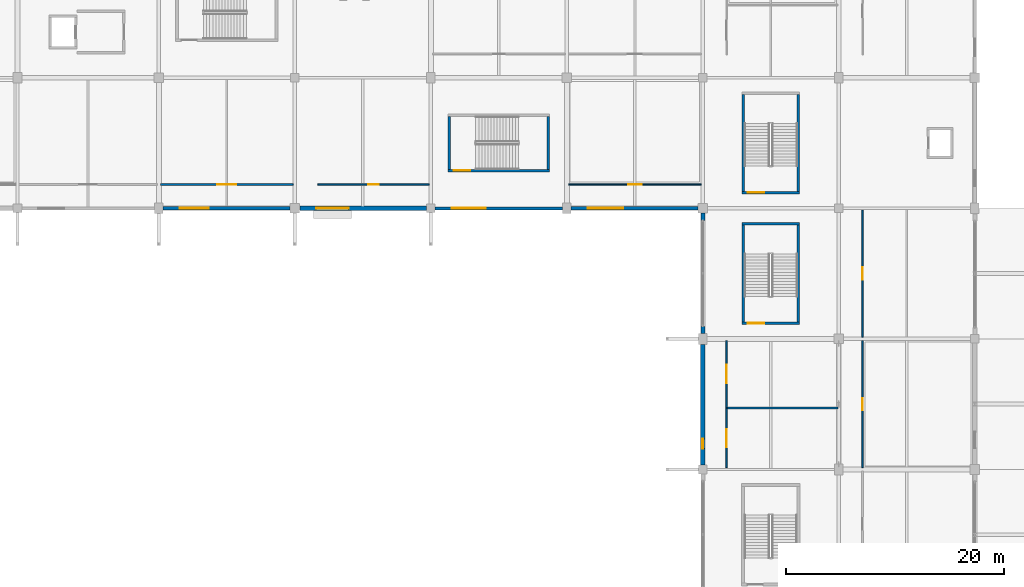
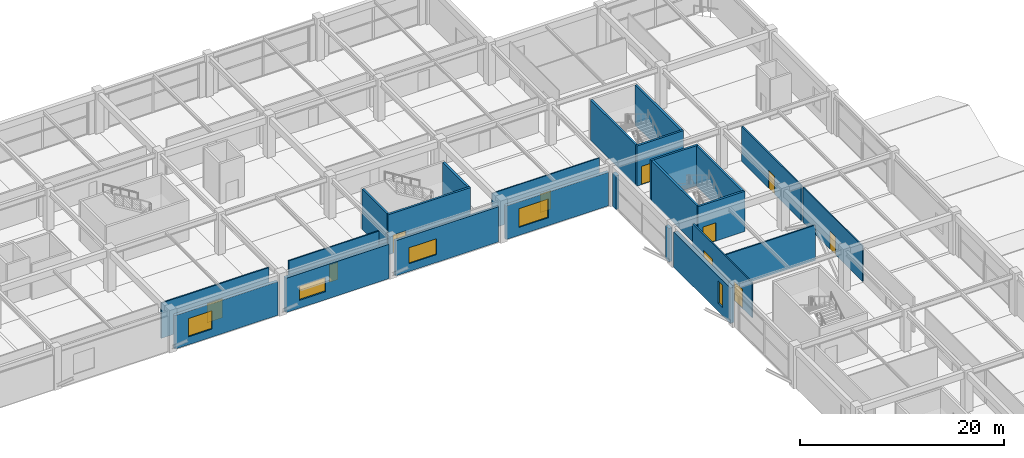
# One storey, part 77 of 116: 24 walls, 10 doors, 5 windows, 15 openings.
"""IFC4 building model written with IfcOpenShell, lengths in metres."""

from ifc_helpers import new_model, si_unit, direction, frame, frame_2d, origin, place, context, subcontext, project, spatial, rectangle, extrude, material, layer, layer_set, type_object, element, fill, save


model = new_model("IFC4")

# Units and contexts
model_context = context("Model", 3, precision=1e-05, world=origin(), true_north=direction((0.0, 1.0)))
body_context = subcontext(model_context, "Body", "Model", "MODEL_VIEW")
ifc_project = project(units=[si_unit("LENGTHUNIT", "METRE"), si_unit("AREAUNIT", "SQUARE_METRE"), si_unit("VOLUMEUNIT", "CUBIC_METRE"), si_unit("PLANEANGLEUNIT", "RADIAN"), si_unit("MASSUNIT", "GRAM", prefix="KILO")], contexts=[model_context])

# Site, building, storey
site_placement = place(None, origin())
site = spatial("IfcSite", under=ifc_project, at=site_placement, CompositionType="ELEMENT")
building_placement = place(site_placement, origin())
building = spatial("IfcBuilding", under=site, at=building_placement, Name="Kazenohara Klinker Stadium", CompositionType="ELEMENT")
storey_placement = place(building_placement, frame((0.0, 0.0, 10.199951171875)))
storey = spatial("IfcBuildingStorey", under=building, at=storey_placement, Name="L02", CompositionType="ELEMENT", Elevation=10.199951171875)

# Wall, opening, door
ifc_material_1 = material(Name="Concrete C40/50", Category="concrete")
ifc_layer_1 = layer(ifc_material_1, 0.22998046875)
ifc_layer_set_1 = layer_set([ifc_layer_1], Name="Concrete C40/50")
wall_type_1 = type_object("IfcWallType", Name="WAL-CORE-230", PredefinedType="SHEAR", material=ifc_layer_set_1)
wall_1_placement = place(storey_placement, frame((178.590087890625, 133.43505859375, 0.0), z_axis=(0.0, 0.0, 1.0), x_axis=(1.0, 0.0, 0.0)))
wall_1 = element("IfcWall", 1, at=wall_1_placement, inside=storey, type_object=wall_type_1, Name="Stairwell shear wall ST12 L02 South", PredefinedType="SHEAR", context=body_context, shape_type="SweptSolid", body=[
    extrude(rectangle(XDim=5.31982421875, YDim=0.22998046875, at=frame_2d((2.659912109375, 0.0))), origin(), (0.0, 0.0, 1.0), 4.820068359375),
])
opening_1_placement = place(wall_1_placement, frame((0.550048828125, 0.0, 0.0)))
opening_1 = element("IfcOpeningElement", 2, at=opening_1_placement, cuts=wall_1, Name="Opening SD02", PredefinedType="OPENING", context=body_context, shape_type="SweptSolid", body=[
    extrude(rectangle(XDim=1.5, YDim=2.199951171875, at=frame_2d((0.75, 1.10009765625))), frame((0.0, 0.125, 0.0), z_axis=(0.0, -1.0, 0.0), x_axis=(1.0, 0.0, 0.0)), (0.0, 0.0, 1.0), 0.25),
])
ifc_material_2 = material(Name="Flush painted steel fire door leaf", Category="steel")
door_type_1 = type_object("IfcDoorType", Name="DR-STR-1500x2200", OperationType="NOTDEFINED", PredefinedType="DOOR", material=ifc_material_2)
door_1_placement = place(opening_1_placement, origin())
door_1 = element("IfcDoor", 3, at=door_1_placement, inside=storey, type_object=door_type_1, Name="Escape stairwell fire door ST12-L02", OperationType="SINGLE_SWING_LEFT", OverallHeight=2.199951171875, OverallWidth=1.5, PredefinedType="DOOR", context=body_context, shape_type="SweptSolid", body=[
    extrude(rectangle(XDim=1.5, YDim=2.199951171875, at=frame_2d((0.75, 1.10009765625))), frame((0.0, 0.02490234375, 0.0), z_axis=(0.0, -1.0, 0.0), x_axis=(1.0, 0.0, 0.0)), (0.0, 0.0, 1.0), 0.050048828125),
])
fill(opening_1, door_1)

# Walls
for number, where, z_axis, x_axis, name in (
    (4, (178.705078125, 133.550048828125, 0.0), (0.0, 0.0, 1.0), (0.0, 1.0, 0.0), "Stairwell shear wall ST12 L02 West"),
    (5, (183.794921875, 133.550048828125, 0.0), (0.0, 0.0, 1.0), (0.0, 1.0, 0.0), "Stairwell shear wall ST12 L02 East"),
):
    element("IfcWall", number, at=place(storey_placement, frame(where, z_axis=z_axis, x_axis=x_axis)), inside=storey, type_object=wall_type_1, Name=name, PredefinedType="SHEAR", context=body_context, shape_type="SweptSolid", body=[
        extrude(rectangle(XDim=8.89990234375, YDim=0.22998046875, at=frame_2d((4.449951171875, 0.0))), origin(), (0.0, 0.0, 1.0), 4.820068359375),
    ])

# Wall, opening, door
wall_2_placement = place(storey_placement, frame((151.570068359375, 135.455078125, 0.0), z_axis=(0.0, 0.0, 1.0), x_axis=(1.0, 0.0, 0.0)))
wall_2 = element("IfcWall", 6, at=wall_2_placement, inside=storey, type_object=wall_type_1, Name="Stairwell shear wall ST20 L02 South", PredefinedType="SHEAR", context=body_context, shape_type="SweptSolid", body=[
    extrude(rectangle(XDim=9.35986328125, YDim=0.22998046875, at=frame_2d((4.679931640625, 0.0))), origin(), (0.0, 0.0, 1.0), 4.820068359375),
])
opening_2_placement = place(wall_2_placement, frame((0.550048828125, 0.0, 0.0)))
opening_2 = element("IfcOpeningElement", 7, at=opening_2_placement, cuts=wall_2, Name="Opening SD02", PredefinedType="OPENING", context=body_context, shape_type="SweptSolid", body=[
    extrude(rectangle(XDim=1.5, YDim=2.199951171875, at=frame_2d((0.75, 1.10009765625))), frame((0.0, 0.125, 0.0), z_axis=(0.0, -1.0, 0.0), x_axis=(1.0, 0.0, 0.0)), (0.0, 0.0, 1.0), 0.25),
])
door_2_placement = place(opening_2_placement, origin())
door_2 = element("IfcDoor", 8, at=door_2_placement, inside=storey, type_object=door_type_1, Name="Escape stairwell fire door ST20-L02", OperationType="SINGLE_SWING_RIGHT", OverallHeight=2.199951171875, OverallWidth=1.5, PredefinedType="DOOR", context=body_context, shape_type="SweptSolid", body=[
    extrude(rectangle(XDim=1.5, YDim=2.199951171875, at=frame_2d((0.75, 1.10009765625))), frame((0.0, 0.02490234375, 0.0), z_axis=(0.0, -1.0, 0.0), x_axis=(1.0, 0.0, 0.0)), (0.0, 0.0, 1.0), 0.050048828125),
])
fill(opening_2, door_2)

# Walls
for number, where, z_axis, x_axis, name in (
    (9, (151.68505859375, 135.570068359375, 0.0), (0.0, 0.0, 1.0), (0.0, 1.0, 0.0), "Stairwell shear wall ST20 L02 West"),
    (10, (160.81494140625, 135.570068359375, 0.0), (0.0, 0.0, 1.0), (0.0, 1.0, 0.0), "Stairwell shear wall ST20 L02 East"),
):
    element("IfcWall", number, at=place(storey_placement, frame(where, z_axis=z_axis, x_axis=x_axis)), inside=storey, type_object=wall_type_1, Name=name, PredefinedType="SHEAR", context=body_context, shape_type="SweptSolid", body=[
        extrude(rectangle(XDim=4.85986328125, YDim=0.22998046875, at=frame_2d((2.429931640625, 0.0))), origin(), (0.0, 0.0, 1.0), 4.820068359375),
    ])

# Wall, opening, door
wall_3_placement = place(storey_placement, frame((178.590087890625, 121.43505859375, 0.0), z_axis=(0.0, 0.0, 1.0), x_axis=(1.0, 0.0, 0.0)))
wall_3 = element("IfcWall", 11, at=wall_3_placement, inside=storey, type_object=wall_type_1, Name="Stairwell shear wall ST24 L02 South", PredefinedType="SHEAR", context=body_context, shape_type="SweptSolid", body=[
    extrude(rectangle(XDim=5.31982421875, YDim=0.22998046875, at=frame_2d((2.659912109375, 0.0))), origin(), (0.0, 0.0, 1.0), 4.820068359375),
])
opening_3_placement = place(wall_3_placement, frame((0.550048828125, 0.0, 0.0)))
opening_3 = element("IfcOpeningElement", 12, at=opening_3_placement, cuts=wall_3, Name="Opening SD02", PredefinedType="OPENING", context=body_context, shape_type="SweptSolid", body=[
    extrude(rectangle(XDim=1.5, YDim=2.199951171875, at=frame_2d((0.75, 1.10009765625))), frame((0.0, 0.125, 0.0), z_axis=(0.0, -1.0, 0.0), x_axis=(1.0, 0.0, 0.0)), (0.0, 0.0, 1.0), 0.25),
])
door_3_placement = place(opening_3_placement, origin())
door_3 = element("IfcDoor", 13, at=door_3_placement, inside=storey, type_object=door_type_1, Name="Escape stairwell fire door ST24-L02", OperationType="SINGLE_SWING_LEFT", OverallHeight=2.199951171875, OverallWidth=1.5, PredefinedType="DOOR", context=body_context, shape_type="SweptSolid", body=[
    extrude(rectangle(XDim=1.5, YDim=2.199951171875, at=frame_2d((0.75, 1.10009765625))), frame((0.0, 0.02490234375, 0.0), z_axis=(0.0, -1.0, 0.0), x_axis=(1.0, 0.0, 0.0)), (0.0, 0.0, 1.0), 0.050048828125),
])
fill(opening_3, door_3)

# Walls
wall_4_placement = place(storey_placement, frame((178.590087890625, 130.56494140625, 0.0), z_axis=(0.0, 0.0, 1.0), x_axis=(1.0, 0.0, 0.0)))
element("IfcWall", 14, at=wall_4_placement, inside=storey, type_object=wall_type_1, Name="Stairwell shear wall ST24 L02 North", PredefinedType="SHEAR", context=body_context, shape_type="SweptSolid", body=[
    extrude(rectangle(XDim=5.31982421875, YDim=0.22998046875, at=frame_2d((2.659912109375, 0.0))), origin(), (0.0, 0.0, 1.0), 4.820068359375),
])
for number, where, z_axis, x_axis, name in (
    (15, (178.705078125, 121.550048828125, 0.0), (0.0, 0.0, 1.0), (0.0, 1.0, 0.0), "Stairwell shear wall ST24 L02 West"),
    (16, (183.794921875, 121.550048828125, 0.0), (0.0, 0.0, 1.0), (0.0, 1.0, 0.0), "Stairwell shear wall ST24 L02 East"),
):
    element("IfcWall", number, at=place(storey_placement, frame(where, z_axis=z_axis, x_axis=x_axis)), inside=storey, type_object=wall_type_1, Name=name, PredefinedType="SHEAR", context=body_context, shape_type="SweptSolid", body=[
        extrude(rectangle(XDim=8.89990234375, YDim=0.22998046875, at=frame_2d((4.449951171875, 0.0))), origin(), (0.0, 0.0, 1.0), 4.820068359375),
    ])

# Wall, opening, window
ifc_material_3 = material(Name="Clinker brick masonry", Category="masonry")
ifc_layer_2 = layer(ifc_material_3, 0.280029296875)
ifc_layer_set_2 = layer_set([ifc_layer_2], Name="Clinker brick masonry")
wall_type_2 = type_object("IfcWallType", Name="WAL-EXT-CB280", PredefinedType="SOLIDWALL", material=ifc_layer_set_2)
wall_5_placement = place(storey_placement, frame((150.404052734375, 132.0, 0.0), z_axis=(0.0, 0.0, 1.0), x_axis=(1.0, 0.0, 0.0)))
wall_5 = element("IfcWall", 17, at=wall_5_placement, inside=storey, type_object=wall_type_2, Name="Clinker brick cavity wall EW06 L02 X12-11", PredefinedType="SOLIDWALL", context=body_context, shape_type="SweptSolid", body=[
    extrude(rectangle(XDim=11.69189453125, YDim=0.280029296875, at=frame_2d((5.845947265625, 0.0))), origin(), (0.0, 0.0, 1.0), 4.219970703125),
])
opening_4_placement = place(wall_5_placement, frame((1.5, 0.0, 0.949951171875)))
opening_4 = element("IfcOpeningElement", 18, at=opening_4_placement, cuts=wall_5, Name="Opening W32", PredefinedType="OPENING", context=body_context, shape_type="SweptSolid", body=[
    extrude(rectangle(XDim=3.14990234375, YDim=1.89990234375, at=frame_2d((1.574951171875, 0.949951171875))), frame((0.0, 0.14990234375, 0.0), z_axis=(0.0, -1.0, 0.0), x_axis=(1.0, 0.0, 0.0)), (0.0, 0.0, 1.0), 0.300048828125),
])
ifc_material_4 = material(Name="Dark bronze aluminium frame and triple glazing", Category="aluminium")
window_type_1 = type_object("IfcWindowType", Name="WIN-AS-32", PartitioningType="SINGLE_PANEL", PredefinedType="WINDOW", material=ifc_material_4)
window_1_placement = place(opening_4_placement, origin())
window_1 = element("IfcWindow", 19, at=window_1_placement, inside=storey, type_object=window_type_1, Name="Horizontal-mullion ladder window W32 L02 X12-11", OverallHeight=1.89990234375, OverallWidth=3.14990234375, PartitioningType="SINGLE_PANEL", PredefinedType="WINDOW", context=body_context, shape_type="SweptSolid", body=[
    extrude(rectangle(XDim=3.14990234375, YDim=1.89990234375, at=frame_2d((1.574951171875, 0.949951171875))), frame((0.0, 0.030029296875, 0.0), z_axis=(0.0, -1.0, 0.0), x_axis=(1.0, 0.0, 0.0)), (0.0, 0.0, 1.0), 0.06005859375),
])
fill(opening_4, window_1)

ifc_layer_3 = layer(ifc_material_3, 0.340087890625)
ifc_layer_set_3 = layer_set([ifc_layer_3], Name="Clinker brick masonry")
wall_type_3 = type_object("IfcWallType", Name="WAL-EXT-CB340", PredefinedType="SOLIDWALL", material=ifc_layer_set_3)
wall_6_placement = place(storey_placement, frame((125.404052734375, 132.0, 0.0), z_axis=(0.0, 0.0, 1.0), x_axis=(1.0, 0.0, 0.0)))
wall_6 = element("IfcWall", 20, at=wall_6_placement, inside=storey, type_object=wall_type_3, Name="Clinker brick cavity wall EW04 L02 X10-11", PredefinedType="SOLIDWALL", context=body_context, shape_type="SweptSolid", body=[
    extrude(rectangle(XDim=11.641845703125, YDim=0.340087890625, at=frame_2d((5.82080078125, 0.0))), origin(), (0.0, 0.0, 1.0), 4.02001953125),
])
opening_5_placement = place(wall_6_placement, frame((1.5, 0.0, 0.949951171875)))
opening_5 = element("IfcOpeningElement", 21, at=opening_5_placement, cuts=wall_6, Name="Opening W28", PredefinedType="OPENING", context=body_context, shape_type="SweptSolid", body=[
    extrude(rectangle(XDim=2.699951171875, YDim=2.199951171875, at=frame_2d((1.35009765625, 1.10009765625))), frame((0.0, 0.18017578125, 0.0), z_axis=(0.0, -1.0, 0.0), x_axis=(1.0, 0.0, 0.0)), (0.0, 0.0, 1.0), 0.360107421875),
])
window_type_2 = type_object("IfcWindowType", Name="WIN-AS-28", PartitioningType="SINGLE_PANEL", PredefinedType="WINDOW", material=ifc_material_4)
window_2_placement = place(opening_5_placement, origin())
window_2 = element("IfcWindow", 22, at=window_2_placement, inside=storey, type_object=window_type_2, Name="Horizontal-mullion ladder window W28 L02 X10-11", OverallHeight=2.199951171875, OverallWidth=2.699951171875, PartitioningType="SINGLE_PANEL", PredefinedType="WINDOW", context=body_context, shape_type="SweptSolid", body=[
    extrude(rectangle(XDim=2.699951171875, YDim=2.199951171875, at=frame_2d((1.35009765625, 1.10009765625))), frame((0.0, 0.030029296875, 0.0), z_axis=(0.0, -1.0, 0.0), x_axis=(1.0, 0.0, 0.0)), (0.0, 0.0, 1.0), 0.06005859375),
])
fill(opening_5, window_2)

wall_7_placement = place(storey_placement, frame((162.904052734375, 132.0, 0.0), z_axis=(0.0, 0.0, 1.0), x_axis=(1.0, 0.0, 0.0)))
wall_7 = element("IfcWall", 23, at=wall_7_placement, inside=storey, type_object=wall_type_3, Name="Clinker brick cavity wall EW04 L02 X13-11", PredefinedType="SOLIDWALL", context=body_context, shape_type="SweptSolid", body=[
    extrude(rectangle(XDim=11.641845703125, YDim=0.340087890625, at=frame_2d((5.82080078125, 0.0))), origin(), (0.0, 0.0, 1.0), 4.02001953125),
])
opening_6_placement = place(wall_7_placement, frame((1.5, 0.0, 0.949951171875)))
opening_6 = element("IfcOpeningElement", 24, at=opening_6_placement, cuts=wall_7, Name="Opening W34", PredefinedType="OPENING", context=body_context, shape_type="SweptSolid", body=[
    extrude(rectangle(XDim=3.300048828125, YDim=2.25, at=frame_2d((1.64990234375, 1.125))), frame((0.0, 0.18017578125, 0.0), z_axis=(0.0, -1.0, 0.0), x_axis=(1.0, 0.0, 0.0)), (0.0, 0.0, 1.0), 0.360107421875),
])
window_type_3 = type_object("IfcWindowType", Name="WIN-AS-34", PartitioningType="SINGLE_PANEL", PredefinedType="WINDOW", material=ifc_material_4)
window_3_placement = place(opening_6_placement, origin())
window_3 = element("IfcWindow", 25, at=window_3_placement, inside=storey, type_object=window_type_3, Name="Horizontal-mullion ladder window W34 L02 X13-11", OverallHeight=2.25, OverallWidth=3.300048828125, PartitioningType="SINGLE_PANEL", PredefinedType="WINDOW", context=body_context, shape_type="SweptSolid", body=[
    extrude(rectangle(XDim=3.300048828125, YDim=2.25, at=frame_2d((1.64990234375, 1.125))), frame((0.0, 0.030029296875, 0.0), z_axis=(0.0, -1.0, 0.0), x_axis=(1.0, 0.0, 0.0)), (0.0, 0.0, 1.0), 0.06005859375),
])
fill(opening_6, window_3)

# Walls
ifc_layer_4 = layer(ifc_material_3, 0.3701171875)
ifc_layer_set_4 = layer_set([ifc_layer_4], Name="Clinker brick masonry")
wall_type_4 = type_object("IfcWallType", Name="WAL-EXT-CB370", PredefinedType="SOLIDWALL", material=ifc_layer_set_4)
wall_8_placement = place(storey_placement, frame((175.0, 120.50390625, 0.0), z_axis=(0.0, 0.0, 1.0), x_axis=(0.0, 1.0, 0.0)))
element("IfcWall", 26, at=wall_8_placement, inside=storey, type_object=wall_type_4, Name="Clinker brick curtain-wall jamb pier L02 Y14-10 A", PredefinedType="SOLIDWALL", context=body_context, shape_type="SweptSolid", body=[
    extrude(rectangle(XDim=0.650146484375, YDim=0.3701171875, at=frame_2d((0.3251953125, 0.0))), origin(), (0.0, 0.0, 1.0), 4.02001953125),
])
wall_9_placement = place(storey_placement, frame((175.0, 130.89599609375, 0.0), z_axis=(0.0, 0.0, 1.0), x_axis=(0.0, 1.0, 0.0)))
element("IfcWall", 27, at=wall_9_placement, inside=storey, type_object=wall_type_4, Name="Clinker brick curtain-wall jamb pier L02 Y14-10 B", PredefinedType="SOLIDWALL", context=body_context, shape_type="SweptSolid", body=[
    extrude(rectangle(XDim=0.64990234375, YDim=0.3701171875, at=frame_2d((0.324951171875, 0.0))), origin(), (0.0, 0.0, 1.0), 4.02001953125),
])

# Wall, opening, window
ifc_layer_5 = layer(ifc_material_3, 0.409912109375)
ifc_layer_set_5 = layer_set([ifc_layer_5], Name="Clinker brick masonry")
wall_type_5 = type_object("IfcWallType", Name="WAL-EXT-CB410", PredefinedType="SOLIDWALL", material=ifc_layer_set_5)
wall_10_placement = place(storey_placement, frame((137.9541015625, 132.0, 0.0), z_axis=(0.0, 0.0, 1.0), x_axis=(1.0, 0.0, 0.0)))
wall_10 = element("IfcWall", 28, at=wall_10_placement, inside=storey, type_object=wall_type_5, Name="Clinker brick cavity wall EW02 L02 X11-11", PredefinedType="SOLIDWALL", context=body_context, shape_type="SweptSolid", body=[
    extrude(rectangle(XDim=11.641845703125, YDim=0.409912109375, at=frame_2d((5.82080078125, 0.0))), origin(), (0.0, 0.0, 1.0), 4.1201171875),
])
opening_7_placement = place(wall_10_placement, frame((1.5, 0.0, 0.949951171875)))
opening_7 = element("IfcOpeningElement", 29, at=opening_7_placement, cuts=wall_10, Name="Opening W30", PredefinedType="OPENING", context=body_context, shape_type="SweptSolid", body=[
    extrude(rectangle(XDim=3.0, YDim=1.699951171875, at=frame_2d((1.5, 0.85009765625))), frame((0.0, 0.21484375, 0.0), z_axis=(0.0, -1.0, 0.0), x_axis=(1.0, 0.0, 0.0)), (0.0, 0.0, 1.0), 0.429931640625),
])
window_type_4 = type_object("IfcWindowType", Name="WIN-AS-30", PartitioningType="SINGLE_PANEL", PredefinedType="WINDOW", material=ifc_material_4)
window_4_placement = place(opening_7_placement, origin())
window_4 = element("IfcWindow", 30, at=window_4_placement, inside=storey, type_object=window_type_4, Name="Horizontal-mullion ladder window W30 L02 X11-11", OverallHeight=1.699951171875, OverallWidth=3.0, PartitioningType="SINGLE_PANEL", PredefinedType="WINDOW", context=body_context, shape_type="SweptSolid", body=[
    extrude(rectangle(XDim=3.0, YDim=1.699951171875, at=frame_2d((1.5, 0.85009765625))), frame((0.0, 0.030029296875, 0.0), z_axis=(0.0, -1.0, 0.0), x_axis=(1.0, 0.0, 0.0)), (0.0, 0.0, 1.0), 0.06005859375),
])
fill(opening_7, window_4)

wall_11_placement = place(storey_placement, frame((175.0, 108.404052734375, 0.0), z_axis=(0.0, 0.0, 1.0), x_axis=(0.0, 1.0, 0.0)))
wall_11 = element("IfcWall", 31, at=wall_11_placement, inside=storey, type_object=wall_type_5, Name="Clinker brick cavity wall EW02 L02 Y14-9", PredefinedType="SOLIDWALL", context=body_context, shape_type="SweptSolid", body=[
    extrude(rectangle(XDim=11.092041015625, YDim=0.409912109375, at=frame_2d((5.5458984375, 0.0))), origin(), (0.0, 0.0, 1.0), 4.23193359375),
])
opening_8_placement = place(wall_11_placement, frame((1.5, 0.0, 0.949951171875)))
opening_8 = element("IfcOpeningElement", 32, at=opening_8_placement, cuts=wall_11, Name="Opening W03", PredefinedType="OPENING", context=body_context, shape_type="SweptSolid", body=[
    extrude(rectangle(XDim=0.89990234375, YDim=2.699951171875, at=frame_2d((0.449951171875, 1.35009765625))), frame((0.0, 0.21484375, 0.0), z_axis=(0.0, -1.0, 0.0), x_axis=(1.0, 0.0, 0.0)), (0.0, 0.0, 1.0), 0.429931640625),
])
window_type_5 = type_object("IfcWindowType", Name="WIN-AS-03", PartitioningType="SINGLE_PANEL", PredefinedType="WINDOW", material=ifc_material_4)
window_5_placement = place(opening_8_placement, origin())
window_5 = element("IfcWindow", 33, at=window_5_placement, inside=storey, type_object=window_type_5, Name="Horizontal-mullion ladder window W03 L02 Y14-9", OverallHeight=2.699951171875, OverallWidth=0.89990234375, PartitioningType="SINGLE_PANEL", PredefinedType="WINDOW", context=body_context, shape_type="SweptSolid", body=[
    extrude(rectangle(XDim=0.89990234375, YDim=2.699951171875, at=frame_2d((0.449951171875, 1.35009765625))), frame((0.0, 0.030029296875, 0.0), z_axis=(0.0, -1.0, 0.0), x_axis=(1.0, 0.0, 0.0)), (0.0, 0.0, 1.0), 0.06005859375),
])
fill(opening_8, window_5)

# Wall, opening, door
ifc_material_5 = material(Name="Fire-rated gypsum board on acoustic studs", Category="gypsum")
ifc_layer_6 = layer(ifc_material_5, 0.1201171875)
ifc_layer_set_6 = layer_set([ifc_layer_6], Name="Fire-rated gypsum board on acoustic studs")
wall_type_6 = type_object("IfcWallType", Name="WAL-INT-P120", PredefinedType="PARTITIONING", material=ifc_layer_set_6)
wall_12_placement = place(storey_placement, frame((162.659912109375, 134.18994140625, 0.0), z_axis=(0.0, 0.0, 1.0), x_axis=(1.0, 0.0, 0.0)))
wall_12 = element("IfcWall", 34, at=wall_12_placement, inside=storey, type_object=wall_type_6, Name="Interior partition wall PT02 SPC-L02-13-11-1-1", PredefinedType="PARTITIONING", context=body_context, shape_type="SweptSolid", body=[
    extrude(rectangle(XDim=12.18017578125, YDim=0.1201171875, at=frame_2d((6.090087890625, 0.0))), origin(), (0.0, 0.0, 1.0), 4.219970703125),
])
opening_9_placement = place(wall_12_placement, frame((5.469970703125, 0.0, 0.0)))
opening_9 = element("IfcOpeningElement", 35, at=opening_9_placement, cuts=wall_12, Name="Opening ID13", PredefinedType="OPENING", context=body_context, shape_type="SweptSolid", body=[
    extrude(rectangle(XDim=1.239990234375, YDim=2.219970703125, at=frame_2d((0.6201171875, 1.10986328125))), frame((0.0, 0.070068359375, 0.0), z_axis=(0.0, -1.0, 0.0), x_axis=(1.0, 0.0, 0.0)), (0.0, 0.0, 1.0), 0.14013671875),
])
ifc_material_6 = material(Name="Solid-core Hokkaido oak fire door", Category="wood")
door_type_2 = type_object("IfcDoorType", Name="DR-INT-13", OperationType="NOTDEFINED", PredefinedType="DOOR", material=ifc_material_6)
door_4_placement = place(opening_9_placement, origin())
door_4 = element("IfcDoor", 36, at=door_4_placement, inside=storey, type_object=door_type_2, Name="Interior door ID13 Civic Sports Archive Reading Room L02-1311A", OperationType="SINGLE_SWING_RIGHT", OverallHeight=2.219970703125, OverallWidth=1.239990234375, PredefinedType="DOOR", context=body_context, shape_type="SweptSolid", body=[
    extrude(rectangle(XDim=1.239990234375, YDim=2.219970703125, at=frame_2d((0.6201171875, 1.10986328125))), frame((0.0, 0.02490234375, 0.0), z_axis=(0.0, -1.0, 0.0), x_axis=(1.0, 0.0, 0.0)), (0.0, 0.0, 1.0), 0.050048828125),
])
fill(opening_9, door_4)

wall_13_placement = place(storey_placement, frame((189.68994140625, 108.159912109375, 0.0), z_axis=(0.0, 0.0, 1.0), x_axis=(0.0, 1.0, 0.0)))
wall_13 = element("IfcWall", 37, at=wall_13_placement, inside=storey, type_object=wall_type_6, Name="Interior partition wall PT02 SPC-L02-15-09-1-1", PredefinedType="PARTITIONING", context=body_context, shape_type="SweptSolid", body=[
    extrude(rectangle(XDim=11.68017578125, YDim=0.1201171875, at=frame_2d((5.840087890625, 0.0))), origin(), (0.0, 0.0, 1.0), 4.219970703125),
])
opening_10_placement = place(wall_13_placement, frame((6.400146484375, 0.0, 0.0), z_axis=(0.0, 0.0, 1.0), x_axis=(-1.0, 0.0, 0.0)))
opening_10 = element("IfcOpeningElement", 38, at=opening_10_placement, cuts=wall_13, Name="Opening ID09", PredefinedType="OPENING", context=body_context, shape_type="SweptSolid", body=[
    extrude(rectangle(XDim=1.1201171875, YDim=2.179931640625, at=frame_2d((0.56005859375, 1.08984375))), frame((0.0, 0.070068359375, 0.0), z_axis=(0.0, -1.0, 0.0), x_axis=(1.0, 0.0, 0.0)), (0.0, 0.0, 1.0), 0.14013671875),
])
door_type_3 = type_object("IfcDoorType", Name="DR-INT-09", OperationType="NOTDEFINED", PredefinedType="DOOR", material=ifc_material_6)
door_5_placement = place(opening_10_placement, origin())
door_5 = element("IfcDoor", 39, at=door_5_placement, inside=storey, type_object=door_type_3, Name="Interior door ID09 Hospitality Culinary Catering Kitchen L02-1509A", OperationType="SINGLE_SWING_RIGHT", OverallHeight=2.179931640625, OverallWidth=1.1201171875, PredefinedType="DOOR", context=body_context, shape_type="SweptSolid", body=[
    extrude(rectangle(XDim=1.1201171875, YDim=2.179931640625, at=frame_2d((0.56005859375, 1.08984375))), frame((0.0, 0.02490234375, 0.0), z_axis=(0.0, -1.0, 0.0), x_axis=(1.0, 0.0, 0.0)), (0.0, 0.0, 1.0), 0.050048828125),
])
fill(opening_10, door_5)

ifc_layer_7 = layer(ifc_material_5, 0.139892578125)
ifc_layer_set_7 = layer_set([ifc_layer_7], Name="Fire-rated gypsum board on acoustic studs")
wall_type_7 = type_object("IfcWallType", Name="WAL-INT-P140", PredefinedType="PARTITIONING", material=ifc_layer_set_7)
wall_14_placement = place(storey_placement, frame((139.6201171875, 134.18994140625, 0.0), z_axis=(0.0, 0.0, 1.0), x_axis=(1.0, 0.0, 0.0)))
wall_14 = element("IfcWall", 40, at=wall_14_placement, inside=storey, type_object=wall_type_7, Name="Interior partition wall PT03 SPC-L02-11-11-1-1", PredefinedType="PARTITIONING", context=body_context, shape_type="SweptSolid", body=[
    extrude(rectangle(XDim=10.219970703125, YDim=0.139892578125, at=frame_2d((5.10986328125, 0.0))), origin(), (0.0, 0.0, 1.0), 4.219970703125),
])
opening_11_placement = place(wall_14_placement, frame((4.6201171875, 0.0, 0.0)))
opening_11 = element("IfcOpeningElement", 41, at=opening_11_placement, cuts=wall_14, Name="Opening ID04", PredefinedType="OPENING", context=body_context, shape_type="SweptSolid", body=[
    extrude(rectangle(XDim=0.97998046875, YDim=2.10009765625, at=frame_2d((0.489990234375, 1.050048828125))), frame((0.0, 0.080078125, 0.0), z_axis=(0.0, -1.0, 0.0), x_axis=(1.0, 0.0, 0.0)), (0.0, 0.0, 1.0), 0.159912109375),
])
door_type_4 = type_object("IfcDoorType", Name="DR-INT-04", OperationType="NOTDEFINED", PredefinedType="DOOR", material=ifc_material_6)
door_6_placement = place(opening_11_placement, origin())
door_6 = element("IfcDoor", 42, at=door_6_placement, inside=storey, type_object=door_type_4, Name="Interior door ID04 Civic Sports Archive Reading Room L02-1111A", OperationType="SINGLE_SWING_LEFT", OverallHeight=2.10009765625, OverallWidth=0.97998046875, PredefinedType="DOOR", context=body_context, shape_type="SweptSolid", body=[
    extrude(rectangle(XDim=0.97998046875, YDim=2.10009765625, at=frame_2d((0.489990234375, 1.050048828125))), frame((0.0, 0.02490234375, 0.0), z_axis=(0.0, -1.0, 0.0), x_axis=(1.0, 0.0, 0.0)), (0.0, 0.0, 1.0), 0.050048828125),
])
fill(opening_11, door_6)

# Wall, openings, doors
wall_15_placement = place(storey_placement, frame((177.18994140625, 108.159912109375, 0.0), z_axis=(0.0, 0.0, 1.0), x_axis=(0.0, 1.0, 0.0)))
wall_15 = element("IfcWall", 43, at=wall_15_placement, inside=storey, type_object=wall_type_7, Name="Interior partition wall PT03 SPC-L02-14-09-1-1", PredefinedType="PARTITIONING", context=body_context, shape_type="SweptSolid", body=[
    extrude(rectangle(XDim=11.68017578125, YDim=0.139892578125, at=frame_2d((5.840087890625, 0.0))), origin(), (0.0, 0.0, 1.0), 4.219970703125),
])
opening_12_placement = place(wall_15_placement, frame((3.52978515625, 0.0, 0.0), z_axis=(0.0, 0.0, 1.0), x_axis=(-1.0, 0.0, 0.0)))
opening_12 = element("IfcOpeningElement", 44, at=opening_12_placement, cuts=wall_15, Name="Opening ID24", PredefinedType="OPENING", context=body_context, shape_type="SweptSolid", body=[
    extrude(rectangle(XDim=1.64990234375, YDim=2.280029296875, at=frame_2d((0.824951171875, 1.14013671875))), frame((0.0, 0.080078125, 0.0), z_axis=(0.0, -1.0, 0.0), x_axis=(1.0, 0.0, 0.0)), (0.0, 0.0, 1.0), 0.159912109375),
])
opening_13_placement = place(wall_15_placement, frame((9.474853515625, 0.0, 0.0), z_axis=(0.0, 0.0, 1.0), x_axis=(-1.0, 0.0, 0.0)))
opening_13 = element("IfcOpeningElement", 45, at=opening_13_placement, cuts=wall_15, Name="Opening ID25", PredefinedType="OPENING", context=body_context, shape_type="SweptSolid", body=[
    extrude(rectangle(XDim=1.699951171875, YDim=2.320068359375, at=frame_2d((0.85009765625, 1.16015625))), frame((0.0, 0.080078125, 0.0), z_axis=(0.0, -1.0, 0.0), x_axis=(1.0, 0.0, 0.0)), (0.0, 0.0, 1.0), 0.159912109375),
])
ifc_material_7 = material(Name="Painted steel plant fire door", Category="steel")
door_type_5 = type_object("IfcDoorType", Name="DR-INT-24", OperationType="NOTDEFINED", PredefinedType="DOOR", material=ifc_material_7)
door_7_placement = place(opening_12_placement, origin())
door_7 = element("IfcDoor", 46, at=door_7_placement, inside=storey, type_object=door_type_5, Name="Interior door ID24 Civic Sports Archive Reading Room L02-1409A", OperationType="SINGLE_SWING_LEFT", OverallHeight=2.280029296875, OverallWidth=1.64990234375, PredefinedType="DOOR", context=body_context, shape_type="SweptSolid", body=[
    extrude(rectangle(XDim=1.64990234375, YDim=2.280029296875, at=frame_2d((0.824951171875, 1.14013671875))), frame((0.0, 0.02490234375, 0.0), z_axis=(0.0, -1.0, 0.0), x_axis=(1.0, 0.0, 0.0)), (0.0, 0.0, 1.0), 0.050048828125),
])
fill(opening_12, door_7)
door_type_6 = type_object("IfcDoorType", Name="DR-INT-25", OperationType="NOTDEFINED", PredefinedType="DOOR", material=ifc_material_7)
door_8_placement = place(opening_13_placement, origin())
door_8 = element("IfcDoor", 47, at=door_8_placement, inside=storey, type_object=door_type_6, Name="Interior door ID25 Founders Club Hospitality Lounge L02-1409B", OperationType="SINGLE_SWING_RIGHT", OverallHeight=2.320068359375, OverallWidth=1.699951171875, PredefinedType="DOOR", context=body_context, shape_type="SweptSolid", body=[
    extrude(rectangle(XDim=1.699951171875, YDim=2.320068359375, at=frame_2d((0.85009765625, 1.16015625))), frame((0.0, 0.02490234375, 0.0), z_axis=(0.0, -1.0, 0.0), x_axis=(1.0, 0.0, 0.0)), (0.0, 0.0, 1.0), 0.050048828125),
])
fill(opening_13, door_8)

# Wall, opening, door
ifc_layer_8 = layer(ifc_material_5, 0.14990234375)
ifc_layer_set_8 = layer_set([ifc_layer_8], Name="Fire-rated gypsum board on acoustic studs")
wall_type_8 = type_object("IfcWallType", Name="WAL-INT-P150", PredefinedType="PARTITIONING", material=ifc_layer_set_8)
wall_16_placement = place(storey_placement, frame((125.159912109375, 134.18994140625, 0.0), z_axis=(0.0, 0.0, 1.0), x_axis=(1.0, 0.0, 0.0)))
wall_16 = element("IfcWall", 48, at=wall_16_placement, inside=storey, type_object=wall_type_8, Name="Interior partition wall PT04 SPC-L02-10-11-1-1", PredefinedType="PARTITIONING", context=body_context, shape_type="SweptSolid", body=[
    extrude(rectangle(XDim=12.18017578125, YDim=0.14990234375, at=frame_2d((6.090087890625, 0.0))), origin(), (0.0, 0.0, 1.0), 4.219970703125),
])
opening_14_placement = place(wall_16_placement, frame((5.2099609375, 0.0, 0.0)))
opening_14 = element("IfcOpeningElement", 49, at=opening_14_placement, cuts=wall_16, Name="Opening ID26", PredefinedType="OPENING", context=body_context, shape_type="SweptSolid", body=[
    extrude(rectangle(XDim=1.760009765625, YDim=2.300048828125, at=frame_2d((0.8798828125, 1.14990234375))), frame((0.0, 0.0849609375, 0.0), z_axis=(0.0, -1.0, 0.0), x_axis=(1.0, 0.0, 0.0)), (0.0, 0.0, 1.0), 0.169921875),
])
door_type_7 = type_object("IfcDoorType", Name="DR-INT-26", OperationType="NOTDEFINED", PredefinedType="DOOR", material=ifc_material_7)
door_9_placement = place(opening_14_placement, origin())
door_9 = element("IfcDoor", 50, at=door_9_placement, inside=storey, type_object=door_type_7, Name="Interior door ID26 Founders Club Hospitality Lounge L02-1011A", OperationType="SINGLE_SWING_LEFT", OverallHeight=2.300048828125, OverallWidth=1.760009765625, PredefinedType="DOOR", context=body_context, shape_type="SweptSolid", body=[
    extrude(rectangle(XDim=1.760009765625, YDim=2.300048828125, at=frame_2d((0.8798828125, 1.14990234375))), frame((0.0, 0.02490234375, 0.0), z_axis=(0.0, -1.0, 0.0), x_axis=(1.0, 0.0, 0.0)), (0.0, 0.0, 1.0), 0.050048828125),
])
fill(opening_14, door_9)

# Wall
wall_17_placement = place(storey_placement, frame((177.264892578125, 113.649658203125, 0.0), z_axis=(0.0, 0.0, 1.0), x_axis=(1.0, 0.0, 0.0)))
element("IfcWall", 51, at=wall_17_placement, inside=storey, type_object=wall_type_8, Name="Interior partition wall PT04 SPC-L02-14-09-1-2", PredefinedType="PARTITIONING", context=body_context, shape_type="SweptSolid", body=[
    extrude(rectangle(XDim=10.155029296875, YDim=0.14990234375, at=frame_2d((5.07763671875, 0.0))), origin(), (0.0, 0.0, 1.0), 4.219970703125),
])

# Wall, opening, door
wall_18_placement = place(storey_placement, frame((189.68994140625, 120.159912109375, 0.0), z_axis=(0.0, 0.0, 1.0), x_axis=(0.0, 1.0, 0.0)))
wall_18 = element("IfcWall", 52, at=wall_18_placement, inside=storey, type_object=wall_type_8, Name="Interior partition wall PT04 SPC-L02-15-10-1-1", PredefinedType="PARTITIONING", context=body_context, shape_type="SweptSolid", body=[
    extrude(rectangle(XDim=11.68017578125, YDim=0.14990234375, at=frame_2d((5.840087890625, 0.0))), origin(), (0.0, 0.0, 1.0), 4.219970703125),
])
opening_15_placement = place(wall_18_placement, frame((6.414794921875, 0.0, 0.0), z_axis=(0.0, 0.0, 1.0), x_axis=(-1.0, 0.0, 0.0)))
opening_15 = element("IfcOpeningElement", 53, at=opening_15_placement, cuts=wall_18, Name="Opening ID10", PredefinedType="OPENING", context=body_context, shape_type="SweptSolid", body=[
    extrude(rectangle(XDim=1.14990234375, YDim=2.14990234375, at=frame_2d((0.574951171875, 1.074951171875))), frame((0.0, 0.0849609375, 0.0), z_axis=(0.0, -1.0, 0.0), x_axis=(1.0, 0.0, 0.0)), (0.0, 0.0, 1.0), 0.169921875),
])
door_type_8 = type_object("IfcDoorType", Name="DR-INT-10", OperationType="NOTDEFINED", PredefinedType="DOOR", material=ifc_material_6)
door_10_placement = place(opening_15_placement, origin())
door_10 = element("IfcDoor", 54, at=door_10_placement, inside=storey, type_object=door_type_8, Name="Interior door ID10 Founders Club Hospitality Lounge L02-1510A", OperationType="SINGLE_SWING_LEFT", OverallHeight=2.14990234375, OverallWidth=1.14990234375, PredefinedType="DOOR", context=body_context, shape_type="SweptSolid", body=[
    extrude(rectangle(XDim=1.14990234375, YDim=2.14990234375, at=frame_2d((0.574951171875, 1.074951171875))), frame((0.0, 0.02490234375, 0.0), z_axis=(0.0, -1.0, 0.0), x_axis=(1.0, 0.0, 0.0)), (0.0, 0.0, 1.0), 0.050048828125),
])
fill(opening_15, door_10)

save(model, "model.ifc")
